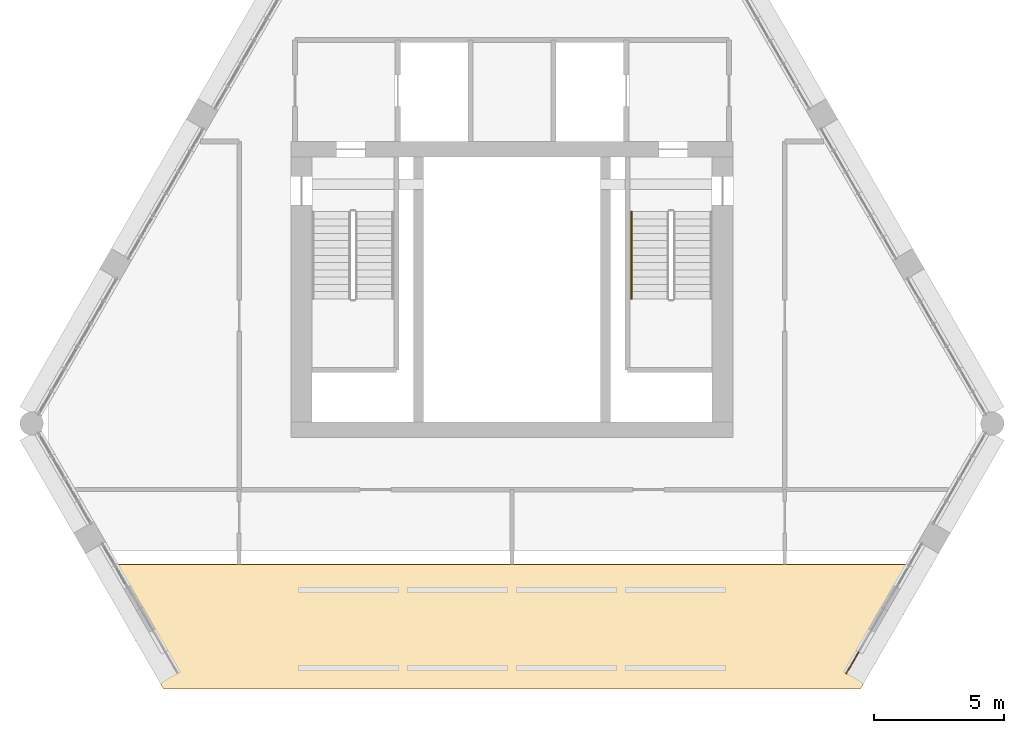
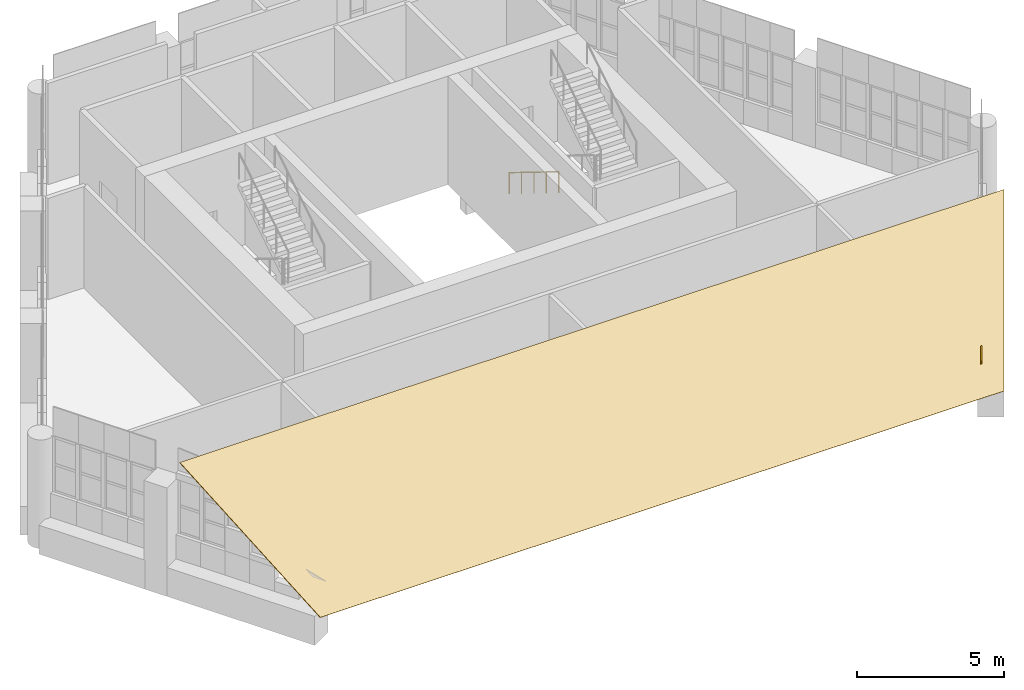
# One storey, part 21 of 23: 2 coverings, 1 railing.
"""IFC4 building model written with IfcOpenShell, lengths in metres."""

from ifc_helpers import new_model, si_unit, direction, frame, origin, origin_2d, place, context, subcontext, project, spatial, polyline, circle, outline, extrude, material, layer, layer_set, type_object, element, save


model = new_model("IFC4")

# Units and contexts
model_context = context("Model", 3, precision=1e-05, world=origin(), true_north=direction((0.0, 1.0)))
body_context = subcontext(model_context, "Body", "Model", "MODEL_VIEW")
ifc_project = project(units=[si_unit("LENGTHUNIT", "METRE"), si_unit("AREAUNIT", "SQUARE_METRE"), si_unit("VOLUMEUNIT", "CUBIC_METRE"), si_unit("PLANEANGLEUNIT", "RADIAN"), si_unit("MASSUNIT", "GRAM", prefix="KILO")], contexts=[model_context])

# Site, building, storey
site_placement = place(None, origin())
site = spatial("IfcSite", under=ifc_project, at=site_placement, CompositionType="ELEMENT")
building_placement = place(site_placement, origin())
building = spatial("IfcBuilding", under=site, at=building_placement, Name="Ostrander Bayou Hotel Tower", CompositionType="ELEMENT")
storey_placement = place(building_placement, frame((0.0, 0.0, 279.5)))
storey = spatial("IfcBuildingStorey", under=building, at=storey_placement, Name="L69", CompositionType="ELEMENT", Elevation=279.5)

# Coverings
ifc_material_1 = material(Name="Reconstituted stone panels", Category="masonry")
ifc_layer = layer(ifc_material_1, 0.0400390625)
ifc_layer_set = layer_set([ifc_layer], Name="CV3 crown cladding 40 mm")
covering_type = type_object("IfcCoveringType", Name="CV3 crown cladding 40 mm", PredefinedType="CLADDING", material=ifc_layer_set)
covering_1_placement = place(storey_placement, frame((13.414306640625, -11.365966796875, 0.0400390625), z_axis=(0.0, -0.685624560176, 0.727955330005), x_axis=(-1.0, 0.0, 0.0)))
element("IfcCovering", 1, at=covering_1_placement, inside=storey, type_object=covering_type, Name="CV3 crown cladding L69", PredefinedType="CLADDING", context=body_context, shape_type="SweptSolid", body=[
    extrude(outline(polyline([(0.0, 0.0), (26.82861328125, 0.0), (29.5869140625, -6.5633588138116075), (-2.75830078125, -6.5633588138116075), (0.0, 0.0)])), origin(), (0.0, 0.0, -1.0), 0.0400390625),
])
covering_2_placement = place(storey_placement, frame((12.8779296875, -10.794677734375, 1.0), z_axis=(0.866054979466, -0.499948769917, 0.0), x_axis=(0.499948769917, 0.866054979466, 0.0)))
element("IfcCovering", 2, at=covering_2_placement, inside=storey, type_object=covering_type, Name="CV3 crown fascia L69", PredefinedType="CLADDING", context=body_context, shape_type="SweptSolid", body=[
    extrude(outline(polyline([(0.0, 0.0), (0.9649426181809926, 0.0), (0.9649426181809926, 0.275146484375), (0.0, 0.0), (0.0, 0.0)])), origin(), (0.0, 0.0, -1.0), 0.0400390625),
])

# Railing
ifc_material_2 = material(Name="Steel ASTM A500 Gr C", Category="steel")
railing_type = type_object("IfcRailingType", Name="HR1 stair handrail 900 mm steel", PredefinedType="HANDRAIL", material=ifc_material_2)
railing_placement = place(storey_placement, frame((4.60009765625, 7.0, 0.173095703125)))
element("IfcRailing", 3, at=railing_placement, inside=storey, type_object=railing_type, Name="L69 STB stair handrail 1", PredefinedType="HANDRAIL", context=body_context, shape_type="SweptSolid", body=[
    extrude(circle(Radius=0.02392578125, at=origin_2d()), frame((0.0, 0.0, 0.8759765625), z_axis=(0.0, -0.850623216509, 0.525775754039), x_axis=(1.0, 0.0, 0.0)), (0.0, 0.0, 1.0), 3.9501953125),
    extrude(circle(Radius=0.02099609375, at=origin_2d()), origin(), (0.0, 0.0, 1.0), 0.851806640625),
    extrude(circle(Radius=0.02099609375, at=origin_2d()), frame((0.0, -0.840087890625, 0.519287109375)), (0.0, 0.0, 1.0), 0.851806640625),
    extrude(circle(Radius=0.02099609375, at=origin_2d()), frame((0.0, -1.68017578125, 1.03857421875)), (0.0, 0.0, 1.0), 0.851806640625),
    extrude(circle(Radius=0.02099609375, at=origin_2d()), frame((0.0, -2.52001953125, 1.5576171875)), (0.0, 0.0, 1.0), 0.851806640625),
    extrude(circle(Radius=0.02099609375, at=origin_2d()), frame((0.0, -3.360107421875, 2.076904296875)), (0.0, 0.0, 1.0), 0.851806640625),
])

save(model, "model.ifc")
